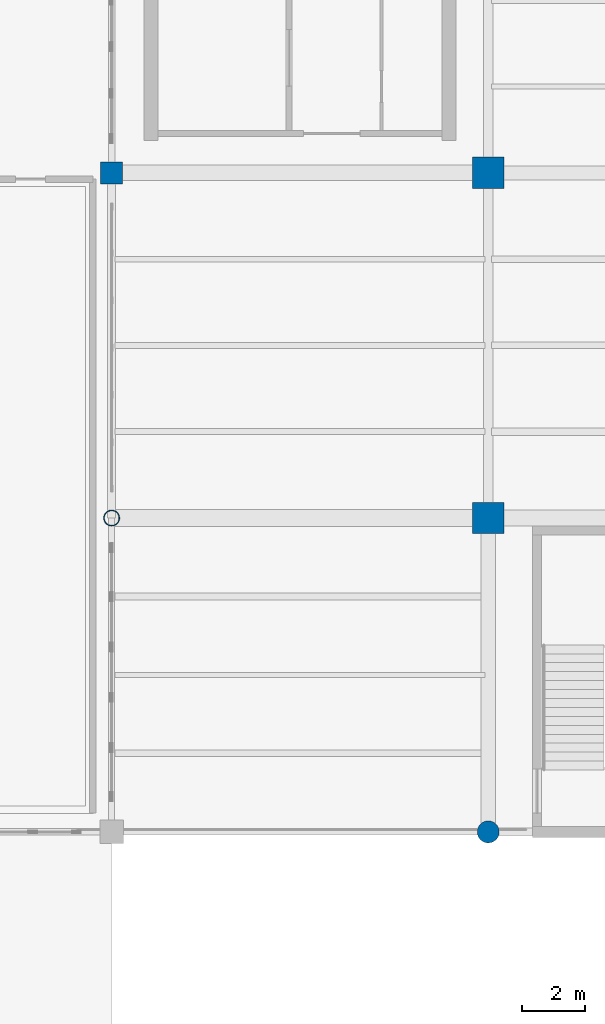
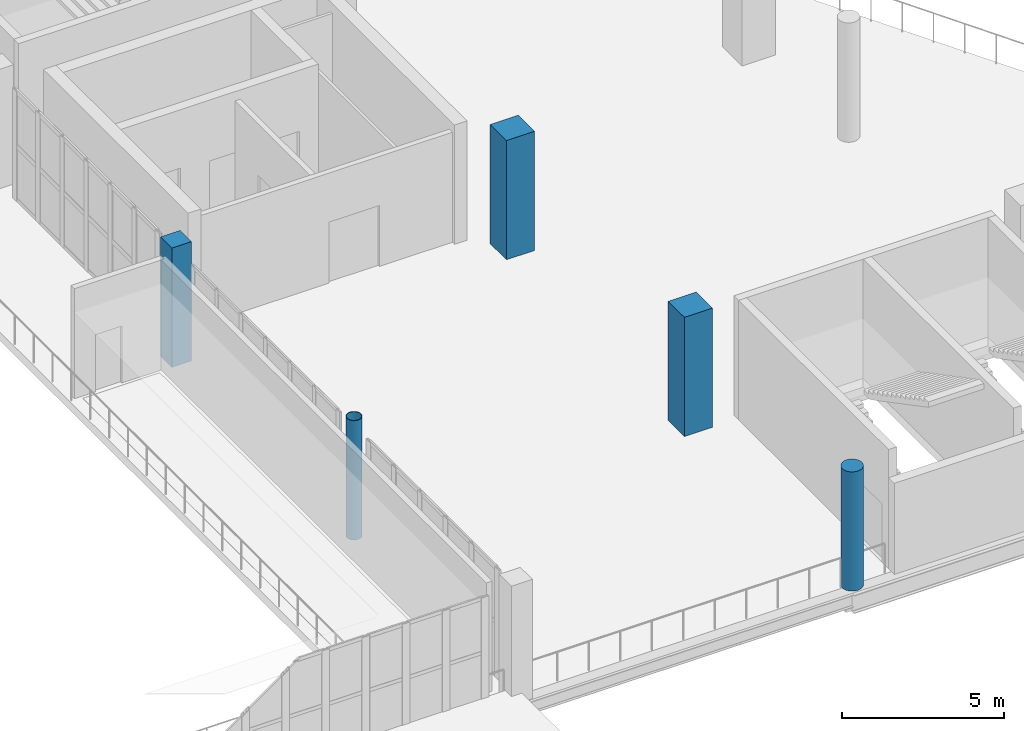
# One storey, part 2 of 108: 5 columns.
"""IFC4 building model written with IfcOpenShell, lengths in metres."""

from ifc_helpers import new_model, si_unit, direction, frame, origin, origin_2d, place, context, subcontext, project, spatial, rectangle, circle, hollow_circle, extrude, material, material_profile, profile_set, type_object, element, save


model = new_model("IFC4")

# Units and contexts
model_context = context("Model", 3, precision=1e-05, world=origin(), true_north=direction((0.0, 1.0)))
body_context = subcontext(model_context, "Body", "Model", "MODEL_VIEW")
ifc_project = project(units=[si_unit("LENGTHUNIT", "METRE"), si_unit("AREAUNIT", "SQUARE_METRE"), si_unit("VOLUMEUNIT", "CUBIC_METRE"), si_unit("PLANEANGLEUNIT", "RADIAN"), si_unit("MASSUNIT", "GRAM", prefix="KILO")], contexts=[model_context])

# Site, building, storey
site_placement = place(None, origin())
site = spatial("IfcSite", under=ifc_project, at=site_placement, CompositionType="ELEMENT")
building_placement = place(site_placement, origin())
building = spatial("IfcBuilding", under=site, at=building_placement, Name="Brinegate Civic Arena", CompositionType="ELEMENT")
storey_placement = place(building_placement, frame((0.0, 0.0, 10.199951171875)))
storey = spatial("IfcBuildingStorey", under=building, at=storey_placement, Name="L02", CompositionType="ELEMENT", Elevation=10.199951171875)

# Columns
ifc_material_1 = material(Name="Concrete C50/60", Category="concrete")
ifc_material_profile_1 = material_profile(ifc_material_1, rectangle(XDim=1.0, YDim=1.0, at=origin_2d()), Name="RC1000X1000")
ifc_profile_set_1 = profile_set([ifc_material_profile_1], Name="Concrete C50/60")
column_type_1 = type_object("IfcColumnType", Name="COL-CC03-1000", PredefinedType="COLUMN", material=ifc_profile_set_1)
for number, where, z_axis, x_axis, name in (
    (1, (60.0, 20.0, 0.0), (0.0, 0.0, 1.0), (1.0, 0.0, 0.0), "Column COL-L02-6-C"),
    (2, (60.0, 31.0, 0.0), (0.0, 0.0, 1.0), (1.0, 0.0, 0.0), "Column COL-L02-6-D"),
):
    element("IfcColumn", number, at=place(storey_placement, frame(where, z_axis=z_axis, x_axis=x_axis)), inside=storey, type_object=column_type_1, Name=name, PredefinedType="COLUMN", context=body_context, shape_type="SweptSolid", body=[
        extrude(rectangle(XDim=1.0, YDim=1.0, at=origin_2d()), origin(), (0.0, 0.0, 1.0), 4.5),
    ])
ifc_material_profile_2 = material_profile(ifc_material_1, rectangle(XDim=0.699951171875, YDim=0.699951171875, at=origin_2d()), Name="RC700X700")
ifc_profile_set_2 = profile_set([ifc_material_profile_2], Name="Concrete C50/60")
column_type_2 = type_object("IfcColumnType", Name="COL-CC09-700", PredefinedType="COLUMN", material=ifc_profile_set_2)
column_1_placement = place(storey_placement, frame((48.0, 31.0, 0.0), z_axis=(0.0, 0.0, 1.0), x_axis=(1.0, 0.0, 0.0)))
element("IfcColumn", 3, at=column_1_placement, inside=storey, type_object=column_type_2, Name="Column COL-L02-5-D", PredefinedType="COLUMN", context=body_context, shape_type="SweptSolid", body=[
    extrude(rectangle(XDim=0.699951171875, YDim=0.699951171875, at=origin_2d()), origin(), (0.0, 0.0, 1.0), 4.5),
])
ifc_material_profile_3 = material_profile(ifc_material_1, circle(Radius=0.35009765625, at=origin_2d()), Name="RCD700")
ifc_profile_set_3 = profile_set([ifc_material_profile_3], Name="Concrete C50/60")
column_type_3 = type_object("IfcColumnType", Name="COL-CC14-D700", PredefinedType="COLUMN", material=ifc_profile_set_3)
column_2_placement = place(storey_placement, frame((60.0, 10.0, 0.0), z_axis=(0.0, 0.0, 1.0), x_axis=(1.0, 0.0, 0.0)))
element("IfcColumn", 4, at=column_2_placement, inside=storey, type_object=column_type_3, Name="Column COL-L02-6-B", PredefinedType="COLUMN", context=body_context, shape_type="SweptSolid", body=[
    extrude(circle(Radius=0.35009765625, at=origin_2d()), origin(), (0.0, 0.0, 1.0), 4.5),
])
ifc_material_2 = material(Name="Steel S355", Category="steel")
ifc_material_profile_4 = material_profile(ifc_material_2, hollow_circle(Radius=0.25390625, WallThickness=0.02001953125, at=origin_2d()), Name="CHS508X20")
ifc_profile_set_4 = profile_set([ifc_material_profile_4], Name="Steel S355")
column_type_4 = type_object("IfcColumnType", Name="COL-SC06-CHS508", PredefinedType="COLUMN", material=ifc_profile_set_4)
column_3_placement = place(storey_placement, frame((48.0, 20.0, 0.0), z_axis=(0.0, 0.0, 1.0), x_axis=(1.0, 0.0, 0.0)))
element("IfcColumn", 5, at=column_3_placement, inside=storey, type_object=column_type_4, Name="Column COL-L02-5-C", PredefinedType="COLUMN", context=body_context, shape_type="SweptSolid", body=[
    extrude(hollow_circle(Radius=0.25390625, WallThickness=0.02001953125, at=origin_2d()), origin(), (0.0, 0.0, 1.0), 4.5),
])

save(model, "model.ifc")
